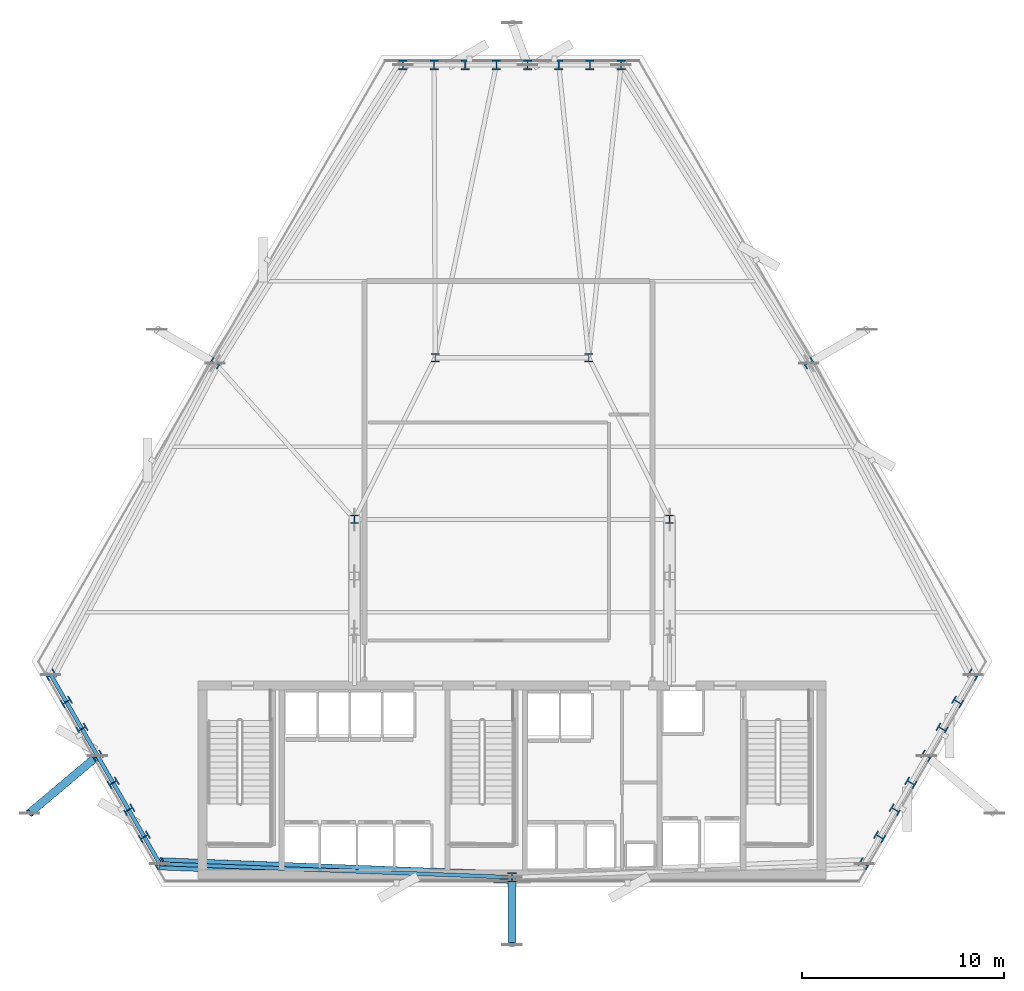
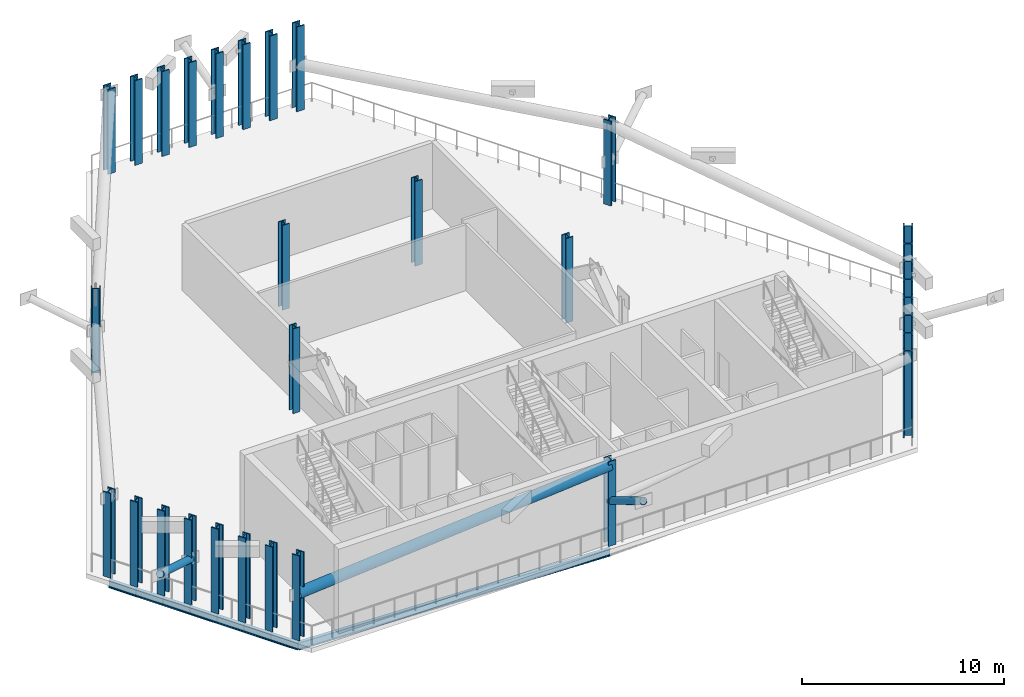
# One storey, part 1 of 11: 31 columns, 8 beams, 3 members.
"""IFC4 building model written with IfcOpenShell, lengths in metres."""

from ifc_helpers import new_model, si_unit, direction, frame, origin, origin_2d, place, context, subcontext, project, spatial, hollow_circle, i_section, extrude, material, material_profile, profile_set, type_object, element, save


model = new_model("IFC4")

# Units and contexts
model_context = context("Model", 3, precision=1e-05, world=origin(), true_north=direction((0.0, 1.0)))
body_context = subcontext(model_context, "Body", "Model", "MODEL_VIEW")
ifc_project = project(units=[si_unit("LENGTHUNIT", "METRE"), si_unit("AREAUNIT", "SQUARE_METRE"), si_unit("VOLUMEUNIT", "CUBIC_METRE"), si_unit("PLANEANGLEUNIT", "RADIAN"), si_unit("MASSUNIT", "GRAM", prefix="KILO")], contexts=[model_context])

# Site, building, storey
site_placement = place(None, origin())
site = spatial("IfcSite", under=ifc_project, at=site_placement, CompositionType="ELEMENT")
building_placement = place(site_placement, origin())
building = spatial("IfcBuilding", under=site, at=building_placement, Name="Ndaravel Arena Tower", CompositionType="ELEMENT")
storey_placement = place(building_placement, frame((0.0, 0.0, 112.0)))
storey = spatial("IfcBuildingStorey", under=building, at=storey_placement, Name="L26", CompositionType="ELEMENT", Elevation=112.0)

# Columns
ifc_material_1 = material(Name="Steel S355", Category="steel")
ifc_material_profile_1 = material_profile(ifc_material_1, i_section(OverallWidth=0.406982421875, OverallDepth=0.4189453125, WebThickness=0.030517578125, FlangeThickness=0.04931640625, FilletRadius=0.01513671875, at=origin_2d()), Name="UC 356x406x393")
ifc_profile_set_1 = profile_set([ifc_material_profile_1], Name="Steel S355")
column_type_1 = type_object("IfcColumnType", Name="COL-INT-UC393", PredefinedType="COLUMN", material=ifc_profile_set_1)
for number, where, z_axis, x_axis, name in (
    (1, (34.199951171875, 23.199951171875, 0.0), (0.0, 0.0, 1.0), (1.0, 0.0, 0.0), "L26 Interior Spine Column IC-01"),
    (2, (49.800048828125, 23.199951171875, 0.0), (0.0, 0.0, 1.0), (1.0, 0.0, 0.0), "L26 Interior Spine Column IC-02"),
    (3, (38.199951171875, 31.199951171875, 0.0), (0.0, 0.0, 1.0), (1.0, 0.0, 0.0), "L26 Interior Spine Column IC-03"),
    (4, (45.800048828125, 31.199951171875, 0.0), (0.0, 0.0, 1.0), (1.0, 0.0, 0.0), "L26 Interior Spine Column IC-04"),
):
    element("IfcColumn", number, at=place(storey_placement, frame(where, z_axis=z_axis, x_axis=x_axis)), inside=storey, type_object=column_type_1, Name=name, PredefinedType="COLUMN", context=body_context, shape_type="SweptSolid", body=[
        extrude(i_section(OverallWidth=0.406982421875, OverallDepth=0.4189453125, WebThickness=0.030517578125, FlangeThickness=0.04931640625, FilletRadius=0.01513671875, at=origin_2d()), origin(), (0.0, 0.0, 1.0), 5.1201171875),
    ])
ifc_material_2 = material(Name="Steel S355", Category="steel")
ifc_material_profile_2 = material_profile(ifc_material_2, i_section(OverallWidth=0.427978515625, OverallDepth=0.48095703125, WebThickness=0.051025390625, FlangeThickness=0.06494140625, FilletRadius=0.014892578125, at=origin_2d()), Name="HD 400x677")
ifc_profile_set_2 = profile_set([ifc_material_profile_2], Name="Steel S355")
column_type_2 = type_object("IfcColumnType", Name="COL-TUBE-HD677", PredefinedType="COLUMN", material=ifc_profile_set_2)
for number, where, z_axis, x_axis, name in (
    (5, (42.0, 5.47998046875, 0.0), (0.0, 0.0, 1.0), (1.0, 0.0, 0.0), "L26 Framed Tube Column TC-01"),
    (6, (59.435791015625, 6.148193359375, 0.0), (0.0, 0.0, 1.0), (0.5, 0.866025403784, 0.0), "L26 Framed Tube Column TC-02"),
    (7, (60.20751953125, 7.48486328125, 0.0), (0.0, 0.0, 1.0), (0.5, 0.866025403784, 0.0), "L26 Framed Tube Column TC-03"),
    (8, (60.979248046875, 8.8212890625, 0.0), (0.0, 0.0, 1.0), (0.5, 0.866025403784, 0.0), "L26 Framed Tube Column TC-04"),
    (9, (61.750732421875, 10.157958984375, 0.0), (0.0, 0.0, 1.0), (0.5, 0.866025403784, 0.0), "L26 Framed Tube Column TC-05"),
    (10, (62.5224609375, 11.49462890625, 0.0), (0.0, 0.0, 1.0), (0.5, 0.866025403784, 0.0), "L26 Framed Tube Column TC-06"),
    (11, (63.294189453125, 12.831298828125, 0.0), (0.0, 0.0, 1.0), (0.5, 0.866025403784, 0.0), "L26 Framed Tube Column TC-07"),
    (12, (64.06591796875, 14.167724609375, 0.0), (0.0, 0.0, 1.0), (0.5, 0.866025403784, 0.0), "L26 Framed Tube Column TC-08"),
    (13, (64.83740234375, 15.50439453125, 0.0), (0.0, 0.0, 1.0), (0.5, 0.866025403784, 0.0), "L26 Framed Tube Column TC-09"),
    (14, (56.6982421875, 30.938232421875, 0.0), (0.0, 0.0, 1.0), (-0.5, 0.866025403784, 0.0), "L26 Framed Tube Column TC-10"),
    (15, (47.401611328125, 45.7041015625, 0.0), (0.0, 0.0, 1.0), (1.0, 0.0, 0.0), "L26 Framed Tube Column TC-11"),
    (16, (45.8583984375, 45.7041015625, 0.0), (0.0, 0.0, 1.0), (1.0, 0.0, 0.0), "L26 Framed Tube Column TC-12"),
    (17, (44.31494140625, 45.7041015625, 0.0), (0.0, 0.0, 1.0), (1.0, 0.0, 0.0), "L26 Framed Tube Column TC-13"),
    (18, (42.771728515625, 45.7041015625, 0.0), (0.0, 0.0, 1.0), (1.0, 0.0, 0.0), "L26 Framed Tube Column TC-14"),
    (19, (41.228271484375, 45.7041015625, 0.0), (0.0, 0.0, 1.0), (1.0, 0.0, 0.0), "L26 Framed Tube Column TC-15"),
    (20, (39.68505859375, 45.7041015625, 0.0), (0.0, 0.0, 1.0), (1.0, 0.0, 0.0), "L26 Framed Tube Column TC-16"),
    (21, (38.1416015625, 45.7041015625, 0.0), (0.0, 0.0, 1.0), (1.0, 0.0, 0.0), "L26 Framed Tube Column TC-17"),
    (22, (36.598388671875, 45.7041015625, 0.0), (0.0, 0.0, 1.0), (1.0, 0.0, 0.0), "L26 Framed Tube Column TC-18"),
    (23, (27.3017578125, 30.938232421875, 0.0), (0.0, 0.0, 1.0), (0.5, 0.866025403784, 0.0), "L26 Framed Tube Column TC-19"),
    (24, (19.16259765625, 15.50439453125, 0.0), (0.0, 0.0, 1.0), (-0.5, 0.866025403784, 0.0), "L26 Framed Tube Column TC-20"),
    (25, (19.93408203125, 14.167724609375, 0.0), (0.0, 0.0, 1.0), (-0.5, 0.866025403784, 0.0), "L26 Framed Tube Column TC-21"),
    (26, (20.705810546875, 12.831298828125, 0.0), (0.0, 0.0, 1.0), (-0.5, 0.866025403784, 0.0), "L26 Framed Tube Column TC-22"),
    (27, (21.4775390625, 11.49462890625, 0.0), (0.0, 0.0, 1.0), (-0.5, 0.866025403784, 0.0), "L26 Framed Tube Column TC-23"),
    (28, (22.249267578125, 10.157958984375, 0.0), (0.0, 0.0, 1.0), (-0.5, 0.866025403784, 0.0), "L26 Framed Tube Column TC-24"),
    (29, (23.020751953125, 8.8212890625, 0.0), (0.0, 0.0, 1.0), (-0.5, 0.866025403784, 0.0), "L26 Framed Tube Column TC-25"),
    (30, (23.79248046875, 7.48486328125, 0.0), (0.0, 0.0, 1.0), (-0.5, 0.866025403784, 0.0), "L26 Framed Tube Column TC-26"),
    (31, (24.564208984375, 6.148193359375, 0.0), (0.0, 0.0, 1.0), (-0.5, 0.866025403784, 0.0), "L26 Framed Tube Column TC-27"),
):
    element("IfcColumn", number, at=place(storey_placement, frame(where, z_axis=z_axis, x_axis=x_axis)), inside=storey, type_object=column_type_2, Name=name, PredefinedType="COLUMN", context=body_context, shape_type="SweptSolid", body=[
        extrude(i_section(OverallWidth=0.427978515625, OverallDepth=0.48095703125, WebThickness=0.051025390625, FlangeThickness=0.06494140625, FilletRadius=0.014892578125, at=origin_2d()), origin(), (0.0, 0.0, 1.0), 5.1201171875),
    ])

# Beams
ifc_material_3 = material(Name="Steel S355", Category="steel")
ifc_material_profile_3 = material_profile(ifc_material_3, i_section(OverallWidth=0.18994140625, OverallDepth=0.449951171875, WebThickness=0.009521484375, FlangeThickness=0.0146484375, FilletRadius=0.02099609375, at=origin_2d()), Name="IPE 450")
ifc_profile_set_3 = profile_set([ifc_material_profile_3], Name="Steel S355")
beam_type = type_object("IfcBeamType", Name="BM-SPAN-IPE450", PredefinedType="SPANDREL", material=ifc_profile_set_3)
for number, where, z_axis, x_axis, name in (
    (32, (19.16259765625, 15.50439453125, -0.5048828125), (0.499882215713, -0.866093395895, 0.0), (0.866093395895, 0.499882215713, 0.0), "L26 Perimeter Spandrel Beam SP-20"),
    (33, (19.93408203125, 14.167724609375, -0.5048828125), (0.500069364209, -0.865985352636, 0.0), (0.865985352636, 0.500069364209, 0.0), "L26 Perimeter Spandrel Beam SP-21"),
):
    element("IfcBeam", number, at=place(storey_placement, frame(where, z_axis=z_axis, x_axis=x_axis)), inside=storey, type_object=beam_type, Name=name, PredefinedType="SPANDREL", context=body_context, shape_type="SweptSolid", body=[
        extrude(i_section(OverallWidth=0.18994140625, OverallDepth=0.449951171875, WebThickness=0.009521484375, FlangeThickness=0.0146484375, FilletRadius=0.02099609375, at=origin_2d()), origin(), (0.0, 0.0, 1.0), 1.543212890625),
    ])
for number, where, z_axis, x_axis, name in (
    (34, (20.705810546875, 12.831298828125, -0.5048828125), (0.5000008632, -0.866024905415, 0.0), (0.866024905415, 0.5000008632, 0.0), "L26 Perimeter Spandrel Beam SP-22"),
    (35, (21.4775390625, 11.49462890625, -0.5048828125), (0.5000008632, -0.866024905415, 0.0), (0.866024905415, 0.5000008632, 0.0), "L26 Perimeter Spandrel Beam SP-23"),
):
    element("IfcBeam", number, at=place(storey_placement, frame(where, z_axis=z_axis, x_axis=x_axis)), inside=storey, type_object=beam_type, Name=name, PredefinedType="SPANDREL", context=body_context, shape_type="SweptSolid", body=[
        extrude(i_section(OverallWidth=0.18994140625, OverallDepth=0.449951171875, WebThickness=0.009521484375, FlangeThickness=0.0146484375, FilletRadius=0.02099609375, at=origin_2d()), origin(), (0.0, 0.0, 1.0), 1.54345703125),
    ])
for number, where, z_axis, x_axis, name in (
    (36, (22.249267578125, 10.157958984375, -0.5048828125), (0.499882215713, -0.866093395895, 0.0), (0.866093395895, 0.499882215713, 0.0), "L26 Perimeter Spandrel Beam SP-24"),
    (37, (23.020751953125, 8.8212890625, -0.5048828125), (0.500069364209, -0.865985352636, 0.0), (0.865985352636, 0.500069364209, 0.0), "L26 Perimeter Spandrel Beam SP-25"),
):
    element("IfcBeam", number, at=place(storey_placement, frame(where, z_axis=z_axis, x_axis=x_axis)), inside=storey, type_object=beam_type, Name=name, PredefinedType="SPANDREL", context=body_context, shape_type="SweptSolid", body=[
        extrude(i_section(OverallWidth=0.18994140625, OverallDepth=0.449951171875, WebThickness=0.009521484375, FlangeThickness=0.0146484375, FilletRadius=0.02099609375, at=origin_2d()), origin(), (0.0, 0.0, 1.0), 1.543212890625),
    ])
beam_1_placement = place(storey_placement, frame((23.79248046875, 7.48486328125, -0.5048828125), z_axis=(0.5000008632, -0.866024905415, 0.0), x_axis=(0.866024905415, 0.5000008632, 0.0)))
element("IfcBeam", 38, at=beam_1_placement, inside=storey, type_object=beam_type, Name="L26 Perimeter Spandrel Beam SP-26", PredefinedType="SPANDREL", context=body_context, shape_type="SweptSolid", body=[
    extrude(i_section(OverallWidth=0.18994140625, OverallDepth=0.449951171875, WebThickness=0.009521484375, FlangeThickness=0.0146484375, FilletRadius=0.02099609375, at=origin_2d()), origin(), (0.0, 0.0, 1.0), 1.54345703125),
])
beam_2_placement = place(storey_placement, frame((24.564208984375, 6.148193359375, -0.5048828125), z_axis=(0.999266435486, -0.038296095242, 0.0), x_axis=(0.038296095242, 0.999266435486, 0.0)))
element("IfcBeam", 39, at=beam_2_placement, inside=storey, type_object=beam_type, Name="L26 Perimeter Spandrel Beam SP-27", PredefinedType="SPANDREL", context=body_context, shape_type="SweptSolid", body=[
    extrude(i_section(OverallWidth=0.18994140625, OverallDepth=0.449951171875, WebThickness=0.009521484375, FlangeThickness=0.0146484375, FilletRadius=0.02099609375, at=origin_2d()), origin(), (0.0, 0.0, 1.0), 17.448486328125),
])

# Members
ifc_material_4 = material(Name="Steel S460", Category="steel")
ifc_material_profile_4 = material_profile(ifc_material_4, hollow_circle(Radius=0.304931640625, WallThickness=0.030029296875, at=origin_2d()), Name="CHS 610x30")
ifc_profile_set_4 = profile_set([ifc_material_profile_4], Name="Steel S460")
member_type_1 = type_object("IfcMemberType", Name="MEM-BT-DIAG1", PredefinedType="BRACE", material=ifc_profile_set_4)
member_1_placement = place(storey_placement, frame((24.564208984375, 6.148193359375, 2.679931640625), z_axis=(0.992373912886, -0.038031944769, 0.117250109595), x_axis=(0.038296095242, 0.999266435486, 0.0)))
element("IfcMember", 40, at=member_1_placement, inside=storey, type_object=member_type_1, Name="Belt Truss BT-1 Diagonal 27", PredefinedType="BRACE", context=body_context, shape_type="SweptSolid", body=[
    extrude(hollow_circle(Radius=0.304931640625, WallThickness=0.030029296875, at=origin_2d()), origin(), (0.0, 0.0, 1.0), 17.56982421875),
])
ifc_material_5 = material(Name="Steel S460", Category="steel")
ifc_material_profile_5 = material_profile(ifc_material_5, hollow_circle(Radius=0.203125, WallThickness=0.01611328125, at=origin_2d()), Name="CHS 406.4x16")
ifc_profile_set_5 = profile_set([ifc_material_profile_5], Name="Steel S460")
member_type_2 = type_object("IfcMemberType", Name="MEM-STAR-STRUT2", PredefinedType="STRUT", material=ifc_profile_set_5)
member_2_placement = place(storey_placement, frame((21.4775390625, 11.49462890625, 2.580078125), z_axis=(-0.696855665952, -0.586908339021, 0.412226615369), x_axis=(0.644188734749, -0.764866572693, 0.0)))
element("IfcMember", 41, at=member_2_placement, inside=storey, type_object=member_type_2, Name="L27 Star Soffit Raking Strut SS-1", PredefinedType="STRUT", context=body_context, shape_type="SweptSolid", body=[
    extrude(hollow_circle(Radius=0.203125, WallThickness=0.01611328125, at=origin_2d()), origin(), (0.0, 0.0, 1.0), 4.827392578125),
])
member_3_placement = place(storey_placement, frame((42.0, 5.47998046875, 2.580078125), z_axis=(0.0, -0.858407798228, 0.512967885877), x_axis=(1.0, 0.0, 0.0)))
element("IfcMember", 42, at=member_3_placement, inside=storey, type_object=member_type_2, Name="L27 Star Soffit Raking Strut SS-2", PredefinedType="STRUT", context=body_context, shape_type="SweptSolid", body=[
    extrude(hollow_circle(Radius=0.203125, WallThickness=0.01611328125, at=origin_2d()), origin(), (0.0, 0.0, 1.0), 3.87939453125),
])

save(model, "model.ifc")
